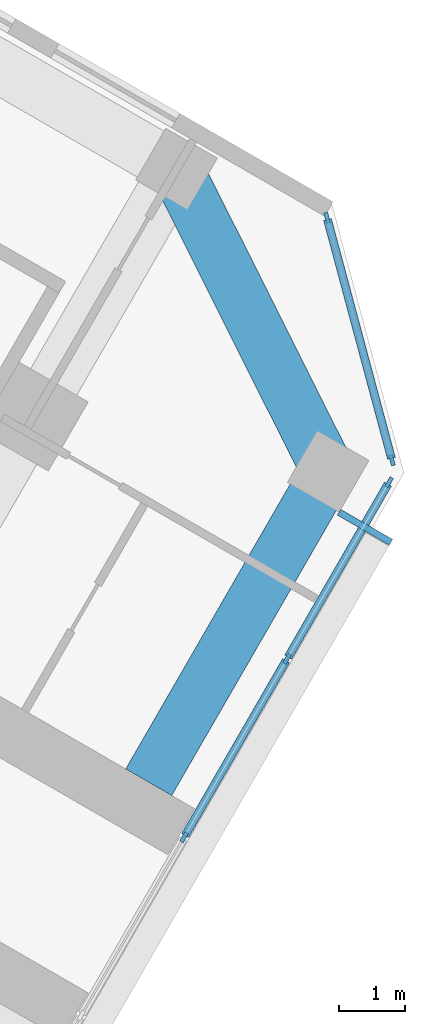
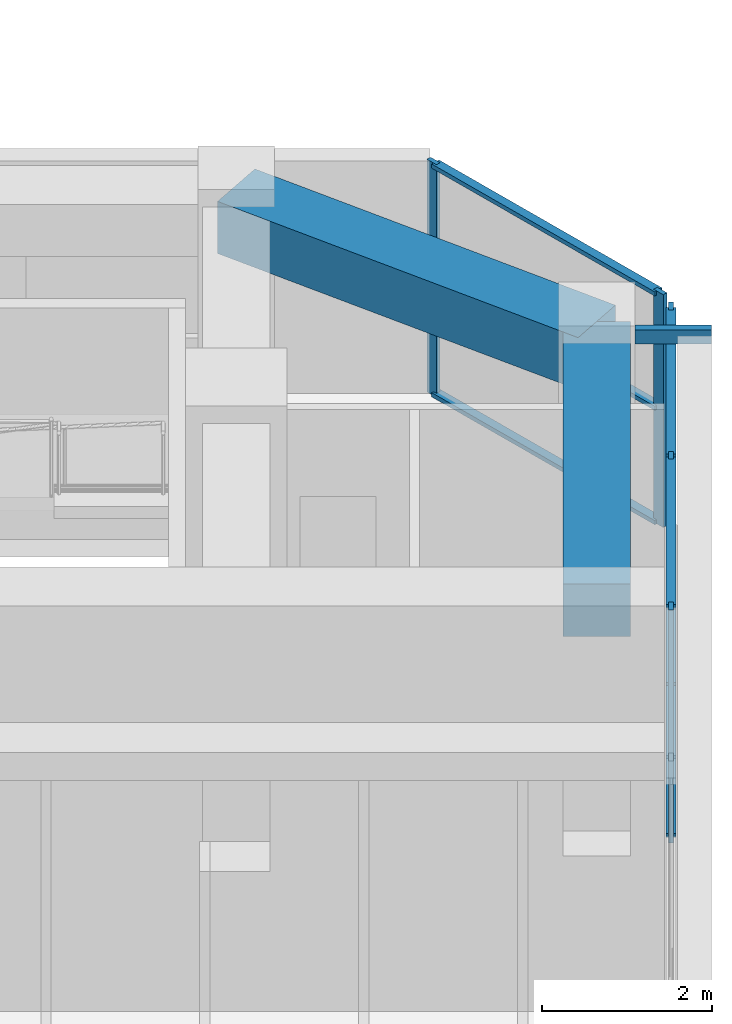
# One storey, part 8 of 19: 13 members, 2 beams, 2 elements without a shape of their own.
"""IFC4 building model written with IfcOpenShell, lengths in metres."""

import ifcopenshell
import ifcopenshell.guid

model = None  # the IFC model being written
_history = None  # IfcOwnerHistory: only IFC2X3 demands one
_inside = {}  # id of a spatial element -> (the spatial element, [elements in it])
_under = {}  # id of a project, library or spatial element -> (it, [spatial elements below it])
_declared = {}  # id of a project -> (the project, [libraries it declares])
_typed = {}  # id of a type object -> (the type object, [elements of that type])
_made_of = {}  # id of a material, layer set ... -> (it, [elements and type objects made of it])


def new_model(schema):
    """Start an empty IFC model of exactly this schema.

    Asked for "IFC4X3", IfcOpenShell would pick the latest addendum, in which some entities
    have other attributes; the version numbers below select the first issue.
    IFC2X3 requires an IfcOwnerHistory on every rooted entity: one is made here for all.
    """
    global model, _history
    if schema == "IFC4X3":
        model = ifcopenshell.file(schema_version=(4, 3, 0, 0))
    else:
        model = ifcopenshell.file(schema=schema)
    _inside.clear()
    _under.clear()
    _declared.clear()
    _typed.clear()
    _made_of.clear()
    _history = None
    if model.schema == "IFC2X3":
        org = make("IfcOrganization", Name="unknown")
        user = make(
            "IfcPersonAndOrganization",
            ThePerson=make("IfcPerson", FamilyName="unknown"),
            TheOrganization=org,
        )
        app = make(
            "IfcApplication",
            ApplicationDeveloper=org,
            Version="unknown",
            ApplicationFullName="unknown",
            ApplicationIdentifier="unknown",
        )
        _history = make(
            "IfcOwnerHistory",
            OwningUser=user,
            OwningApplication=app,
            ChangeAction="ADDED",
            CreationDate=0,
        )
    return model


def make(cls, **values):
    """One entity of the class cls with the attributes given. An attribute that is None is left unset."""
    return model.create_entity(
        cls, **{name: value for name, value in values.items() if value is not None}
    )


def rooted(cls, **values):
    """An entity with a GlobalId (a new one), such as an element, a storey or a relation."""
    return make(cls, GlobalId=ifcopenshell.guid.new(), OwnerHistory=_history, **values)


def si_unit(unit_type, name, prefix=None):
    """IfcSIUnit, for example si_unit("LENGTHUNIT", "METRE", prefix="MILLI")."""
    return make("IfcSIUnit", UnitType=unit_type, Prefix=prefix, Name=name)


def assignment(units):
    """IfcUnitAssignment: the units of a project."""
    return None if units is None else make("IfcUnitAssignment", Units=units)


def point(xyz):
    """IfcCartesianPoint."""
    return None if xyz is None else make("IfcCartesianPoint", Coordinates=xyz)


def direction(xyz):
    """IfcDirection."""
    return None if xyz is None else make("IfcDirection", DirectionRatios=xyz)


def frame(location, z_axis=None, x_axis=None):
    """IfcAxis2Placement3D, a coordinate frame: its origin and axes. An axis left out is left unset."""
    return make(
        "IfcAxis2Placement3D",
        Location=point(location),
        Axis=direction(z_axis),
        RefDirection=direction(x_axis),
    )


def frame_2d(location, x_axis=None):
    """IfcAxis2Placement2D, a coordinate frame in the plane: its origin and x axis."""
    return make(
        "IfcAxis2Placement2D", Location=point(location), RefDirection=direction(x_axis)
    )


def origin():
    """The frame at (0, 0, 0) with its axes left unset."""
    return frame((0.0, 0.0, 0.0))


def origin_2d():
    """The frame at (0, 0) in the plane with its x axis left unset."""
    return frame_2d((0.0, 0.0))


def place(relative_to, where):
    """IfcLocalPlacement: puts the frame where relative to a parent placement (None: the world)."""
    return make(
        "IfcLocalPlacement", PlacementRelTo=relative_to, RelativePlacement=where
    )


def context(
    kind, dimensions, precision=None, world=None, true_north=None, identifier=None
):
    """IfcGeometricRepresentationContext, for example the 3D "Model" context."""
    return make(
        "IfcGeometricRepresentationContext",
        ContextIdentifier=identifier,
        ContextType=kind,
        CoordinateSpaceDimension=dimensions,
        Precision=precision,
        WorldCoordinateSystem=world,
        TrueNorth=true_north,
    )


def subcontext(parent, identifier, kind, view, scale=None):
    """IfcGeometricRepresentationSubContext, for example "Body" below "Model"."""
    return make(
        "IfcGeometricRepresentationSubContext",
        ContextIdentifier=identifier,
        ContextType=kind,
        ParentContext=parent,
        TargetScale=scale,
        TargetView=view,
    )


def project(units=None, contexts=None):
    """IfcProject with its units and contexts."""
    return rooted(
        "IfcProject",
        Name="project",
        RepresentationContexts=contexts,
        UnitsInContext=assignment(units),
    )


def spatial(cls, under=None, at=None, **own):
    """A site, building, storey or space (cls), placed at a placement, below another one or the project."""
    s = rooted(cls, ObjectPlacement=at, **own)
    if under is not None:
        _under.setdefault(under.id(), (under, []))[1].append(s)
    return s


def profile(cls, at=None, kind="AREA", **sizes):
    """A parametric profile (cls). Its sizes go by their IFC names, for example OverallWidth=200.0."""
    return make(cls, ProfileType=kind, Position=at, **sizes)


def rectangle(**sizes):
    """IfcRectangleProfileDef."""
    return profile("IfcRectangleProfileDef", **sizes)


def hollow_rectangle(**sizes):
    """IfcRectangleHollowProfileDef."""
    return profile("IfcRectangleHollowProfileDef", **sizes)


def extrude(swept, where, along, depth):
    """IfcExtrudedAreaSolid: the profile swept, set in the frame where, extruded along a direction by depth."""
    return make(
        "IfcExtrudedAreaSolid",
        SweptArea=swept,
        Position=where,
        ExtrudedDirection=direction(along),
        Depth=depth,
    )


def shape(context_of_items, identifier, shape_type, items):
    """IfcShapeRepresentation: the items that make up one representation, for example the "Body"."""
    return make(
        "IfcShapeRepresentation",
        ContextOfItems=context_of_items,
        RepresentationIdentifier=identifier,
        RepresentationType=shape_type,
        Items=items,
    )


def material(Name=None, Category=None):
    """IfcMaterial."""
    return make("IfcMaterial", Name=Name, Category=Category)


def material_profile(
    of_material, cross_section, Name=None, Category=None, Priority=None
):
    """IfcMaterialProfile: a cross section and its material."""
    return make(
        "IfcMaterialProfile",
        Name=Name,
        Material=of_material,
        Profile=cross_section,
        Priority=Priority,
        Category=Category,
    )


def profile_set(profiles, Name=None, composite=None):
    """IfcMaterialProfileSet."""
    return make(
        "IfcMaterialProfileSet",
        Name=Name,
        MaterialProfiles=profiles,
        CompositeProfile=composite,
    )


def made_of(thing, what):
    """Note that an element or type object is made of a material, layer set ...; save() writes the relation."""
    if what is not None:
        _made_of.setdefault(what.id(), (what, []))[1].append(thing)
    return thing


def type_object(cls, material=None, **own):
    """A type object (cls), such as IfcWallType, which elements share."""
    return made_of(rooted(cls, **own), material)


def element(
    cls,
    number,
    at=None,
    inside=None,
    cuts=None,
    type_object=None,
    material=None,
    context=None,
    identifier="Body",
    shape_type=None,
    held_by="IfcProductDefinitionShape",
    body=None,
    shapes=None,
    **own,
):
    """One element of the class cls, such as IfcWall. Its Tag is "e" and its number.

    at: its placement. inside: the storey or other place that contains it. cuts: it is an
    opening in that element (IfcRelVoidsElement). A single representation is given by context,
    identifier, shape_type and body (its items); several are given by shapes. held_by: the class
    of the entity that holds the representations. save() writes the other relations.
    """
    e = rooted(cls, Tag="e%d" % number, ObjectPlacement=at, **own)
    if body is not None:
        shapes = [shape(context, identifier, shape_type, body)]
    if shapes is not None:
        e.Representation = make(held_by, Representations=shapes)
    if inside is not None:
        _inside.setdefault(inside.id(), (inside, []))[1].append(e)
    if cuts is not None:
        rooted(
            "IfcRelVoidsElement", RelatingBuildingElement=cuts, RelatedOpeningElement=e
        )
    if type_object is not None:
        _typed.setdefault(type_object.id(), (type_object, []))[1].append(e)
    return made_of(e, material)


def aggregate(whole, parts):
    """IfcRelAggregates: a whole, such as a stair, and the parts it consists of."""
    return rooted("IfcRelAggregates", RelatingObject=whole, RelatedObjects=parts)


def save(model, path):
    """Write the relations noted so far, then the file.

    IfcRelAggregates (storeys below a building ...), IfcRelContainedInSpatialStructure (elements
    in a storey), IfcRelDefinesByType, IfcRelAssociatesMaterial and IfcRelDeclares: one each for
    every whole, place, type object, material and project.
    """
    for whole, parts in _under.values():
        aggregate(whole, parts)
    for where, things in _inside.values():
        rooted(
            "IfcRelContainedInSpatialStructure",
            RelatedElements=things,
            RelatingStructure=where,
        )
    for kind, things in _typed.values():
        rooted("IfcRelDefinesByType", RelatedObjects=things, RelatingType=kind)
    for what, things in _made_of.values():
        rooted("IfcRelAssociatesMaterial", RelatedObjects=things, RelatingMaterial=what)
    for by, libraries in _declared.values():
        rooted("IfcRelDeclares", RelatingContext=by, RelatedDefinitions=libraries)
    model.write(path)


model = new_model("IFC4")

# Units and contexts
model_context = context("Model", 3, precision=1e-05, world=origin(), true_north=direction((0.0, 1.0)))
body_context = subcontext(model_context, "Body", "Model", "MODEL_VIEW")
ifc_project = project(units=[si_unit("LENGTHUNIT", "METRE"), si_unit("AREAUNIT", "SQUARE_METRE"), si_unit("VOLUMEUNIT", "CUBIC_METRE"), si_unit("PLANEANGLEUNIT", "RADIAN"), si_unit("MASSUNIT", "GRAM", prefix="KILO")], contexts=[model_context])

# Site, building, storey
site_placement = place(None, origin())
site = spatial("IfcSite", under=ifc_project, at=site_placement, CompositionType="ELEMENT")
building_placement = place(site_placement, origin())
building = spatial("IfcBuilding", under=site, at=building_placement, Name="Kosmar Iwan School Tower", CompositionType="ELEMENT")
storey_placement = place(building_placement, frame((0.0, 0.0, 161.60009765625)))
storey = spatial("IfcBuildingStorey", under=building, at=storey_placement, Name="L40", CompositionType="ELEMENT", Elevation=161.60009765625)

# Member
ifc_material_1 = material(Name="Steel S355", Category="steel")
ifc_material_profile_1 = material_profile(ifc_material_1, hollow_rectangle(XDim=0.10009765625, YDim=0.199951171875, WallThickness=0.008056640625, at=origin_2d()), Name="RHS 200x100x8")
ifc_profile_set_1 = profile_set([ifc_material_profile_1], Name="Steel S355")
member_type_1 = type_object("IfcMemberType", Name="Fin bracket RHS 200x100", PredefinedType="USERDEFINED", material=ifc_profile_set_1)
member_1_placement = place(storey_placement, frame((32.963134765625, -11.006103515625, 3.474853515625), z_axis=(0.866081705922, -0.499902469156, 0.0), x_axis=(0.499902469156, 0.866081705922, 0.0)))
element("IfcMember", 1, at=member_1_placement, inside=storey, type_object=member_type_1, Name="Fin bracket L41", ObjectType="FIN BRACKET", PredefinedType="USERDEFINED", context=body_context, shape_type="SweptSolid", body=[
    extrude(hollow_rectangle(XDim=0.10009765625, YDim=0.199951171875, WallThickness=0.008056640625, at=origin_2d()), origin(), (0.0, 0.0, 1.0), 0.900146484375),
])

# Curtain wall, members
ifc_material_2 = material(Name="Dark glass in black aluminium frame", Category="aluminium")
curtain_wall_type_1 = type_object("IfcCurtainWallType", Name="Tower curtain wall dark glass", PredefinedType="USERDEFINED", material=ifc_material_2)
curtain_wall_1_placement = place(storey_placement, origin())
curtain_wall_1 = element("IfcCurtainWall", 2, at=curtain_wall_1_placement, inside=storey, type_object=curtain_wall_type_1, Name="Curtain wall L40-F03", ObjectType="UNITISED CURTAIN WALL", PredefinedType="USERDEFINED")
ifc_material_3 = material(Name="Black anodised aluminium", Category="aluminium")
ifc_material_profile_2 = material_profile(ifc_material_3, rectangle(XDim=0.06005859375, YDim=0.159912109375, at=origin_2d()), Name="MULLION 60x160")
ifc_profile_set_2 = profile_set([ifc_material_profile_2], Name="Black anodised aluminium")
member_type_2 = type_object("IfcMemberType", Name="Mullion 60x160", PredefinedType="MULLION", material=ifc_profile_set_2)
member_2_placement = place(storey_placement, frame((30.631103515625, -15.8955078125, 0.0), z_axis=(0.0, 0.0, 1.0), x_axis=(-0.866025405329, 0.499999997325, 0.0)))
member_2 = element("IfcMember", 3, at=member_2_placement, type_object=member_type_2, Name="CW1 mullion 4", PredefinedType="MULLION", context=body_context, shape_type="SweptSolid", body=[
    extrude(rectangle(XDim=0.06005859375, YDim=0.159912109375, at=origin_2d()), origin(), (0.0, 0.0, 1.0), 3.349853515625),
])
member_3_placement = place(storey_placement, frame((32.1806640625, -13.21142578125, 0.0), z_axis=(0.0, 0.0, 1.0), x_axis=(-0.866025405329, 0.499999997325, 0.0)))
member_3 = element("IfcMember", 4, at=member_3_placement, type_object=member_type_2, Name="CW1 mullion 5", PredefinedType="MULLION", context=body_context, shape_type="SweptSolid", body=[
    extrude(rectangle(XDim=0.06005859375, YDim=0.159912109375, at=origin_2d()), origin(), (0.0, 0.0, 1.0), 3.349853515625),
])
member_4_placement = place(storey_placement, frame((33.71533203125, -10.55322265625, 0.0), z_axis=(0.0, 0.0, 1.0), x_axis=(-0.866025405329, 0.499999997325, 0.0)))
member_4 = element("IfcMember", 5, at=member_4_placement, type_object=member_type_2, Name="CW1 mullion 6", PredefinedType="MULLION", context=body_context, shape_type="SweptSolid", body=[
    extrude(rectangle(XDim=0.06005859375, YDim=0.159912109375, at=origin_2d()), origin(), (0.0, 0.0, 1.0), 3.349853515625),
])

ifc_material_4 = material(Name="Dark glass in black aluminium frame", Category="aluminium")
curtain_wall_type_2 = type_object("IfcCurtainWallType", Name="Chamfer curtain wall dark glass", PredefinedType="USERDEFINED", material=ifc_material_4)
curtain_wall_2_placement = place(storey_placement, origin())
curtain_wall_2 = element("IfcCurtainWall", 6, at=curtain_wall_2_placement, inside=storey, type_object=curtain_wall_type_2, Name="Curtain wall L40-F04", ObjectType="FACETED CURTAIN WALL", PredefinedType="USERDEFINED")
member_5_placement = place(storey_placement, frame((33.7587890625, -10.2236328125, 0.0), z_axis=(0.0, 0.0, 1.0), x_axis=(-0.965925875495, -0.258818861462, 0.0)))
member_5 = element("IfcMember", 7, at=member_5_placement, type_object=member_type_2, Name="CW2 mullion 1", PredefinedType="MULLION", context=body_context, shape_type="SweptSolid", body=[
    extrude(rectangle(XDim=0.06005859375, YDim=0.159912109375, at=origin_2d()), origin(), (0.0, 0.0, 1.0), 3.349853515625),
])
member_6_placement = place(storey_placement, frame((32.78076171875, -6.5732421875, 0.0), z_axis=(0.0, 0.0, 1.0), x_axis=(-0.965925875495, -0.258818861462, 0.0)))
member_6 = element("IfcMember", 8, at=member_6_placement, type_object=member_type_2, Name="CW2 mullion 2", PredefinedType="MULLION", context=body_context, shape_type="SweptSolid", body=[
    extrude(rectangle(XDim=0.06005859375, YDim=0.159912109375, at=origin_2d()), origin(), (0.0, 0.0, 1.0), 3.349853515625),
])

# Beams
ifc_material_5 = material(Name="Concrete C50/60", Category="concrete")
ifc_material_profile_3 = material_profile(ifc_material_5, rectangle(XDim=0.800048828125, YDim=0.75, at=origin_2d()), Name="RC 800x750")
ifc_profile_set_3 = profile_set([ifc_material_profile_3], Name="Concrete C50/60")
beam_type = type_object("IfcBeamType", Name="RC tip beam 800x750", PredefinedType="BEAM", material=ifc_profile_set_3)
beam_1_placement = place(storey_placement, frame((30.517822265625, -5.841552734375, 2.974853515625), z_axis=(0.44809604203, -0.893985423325, 0.0), x_axis=(0.893985423325, 0.44809604203, 0.0)))
element("IfcBeam", 9, at=beam_1_placement, inside=storey, type_object=beam_type, Name="Tip beam CL", PredefinedType="BEAM", context=body_context, shape_type="SweptSolid", body=[
    extrude(rectangle(XDim=0.800048828125, YDim=0.75, at=origin_2d()), origin(), (0.0, 0.0, 1.0), 5.08935546875),
])
beam_2_placement = place(storey_placement, frame((32.79833984375, -10.391357421875, 2.974853515625), z_axis=(-0.499995103361, -0.866028230842, 0.0), x_axis=(0.866028230842, -0.499995103361, 0.0)))
element("IfcBeam", 10, at=beam_2_placement, inside=storey, type_object=beam_type, Name="Tip beam CL to corridor wall", PredefinedType="BEAM", context=body_context, shape_type="SweptSolid", body=[
    extrude(rectangle(XDim=0.800048828125, YDim=0.75, at=origin_2d()), origin(), (0.0, 0.0, 1.0), 5.39990234375),
])

# Member
ifc_material_6 = material(Name="Black anodised aluminium", Category="aluminium")
ifc_material_profile_4 = material_profile(ifc_material_6, rectangle(XDim=0.1201171875, YDim=0.06005859375, at=origin_2d()), Name="TRANSOM 60x120")
ifc_profile_set_4 = profile_set([ifc_material_profile_4], Name="Black anodised aluminium")
member_type_3 = type_object("IfcMemberType", Name="Transom 60x120", PredefinedType="USERDEFINED", material=ifc_profile_set_4)
member_7_placement = place(storey_placement, frame((30.64599609375, -15.869384765625, 0.02978515625), z_axis=(0.500035348339, 0.866004994449, 0.0), x_axis=(-0.866004994449, 0.500035348339, 0.0)))
member_7 = element("IfcMember", 11, at=member_7_placement, type_object=member_type_3, Name="CW1 transom 4.1", ObjectType="TRANSOM", PredefinedType="USERDEFINED", context=body_context, shape_type="SweptSolid", body=[
    extrude(rectangle(XDim=0.1201171875, YDim=0.06005859375, at=origin_2d()), origin(), (0.0, 0.0, 1.0), 3.039306640625),
])

member_8_placement = place(storey_placement, frame((30.64599609375, -15.869384765625, 3.31982421875), z_axis=(0.500035348339, 0.866004994449, 0.0), x_axis=(-0.866004994449, 0.500035348339, 0.0)))
member_8 = element("IfcMember", 12, at=member_8_placement, type_object=member_type_3, Name="CW1 transom 4.2", ObjectType="TRANSOM", PredefinedType="USERDEFINED", context=body_context, shape_type="SweptSolid", body=[
    extrude(rectangle(XDim=0.1201171875, YDim=0.06005859375, at=origin_2d()), origin(), (0.0, 0.0, 1.0), 3.039306640625),
])

member_9_placement = place(storey_placement, frame((32.19580078125, -13.185302734375, 0.02978515625), z_axis=(0.500022102064, 0.866012642776, 0.0), x_axis=(-0.866012642776, 0.500022102064, 0.0)))
member_9 = element("IfcMember", 13, at=member_9_placement, type_object=member_type_3, Name="CW1 transom 5.1", ObjectType="TRANSOM", PredefinedType="USERDEFINED", context=body_context, shape_type="SweptSolid", body=[
    extrude(rectangle(XDim=0.1201171875, YDim=0.06005859375, at=origin_2d()), origin(), (0.0, 0.0, 1.0), 3.009033203125),
])

member_10_placement = place(storey_placement, frame((32.19580078125, -13.185302734375, 3.31982421875), z_axis=(0.500022102064, 0.866012642776, 0.0), x_axis=(-0.866012642776, 0.500022102064, 0.0)))
member_10 = element("IfcMember", 14, at=member_10_placement, type_object=member_type_3, Name="CW1 transom 5.2", ObjectType="TRANSOM", PredefinedType="USERDEFINED", context=body_context, shape_type="SweptSolid", body=[
    extrude(rectangle(XDim=0.1201171875, YDim=0.06005859375, at=origin_2d()), origin(), (0.0, 0.0, 1.0), 3.009033203125),
])

aggregate(curtain_wall_1, [member_2, member_3, member_4, member_7, member_8, member_9, member_10])

member_11_placement = place(storey_placement, frame((33.7509765625, -10.194580078125, 0.02978515625), z_axis=(-0.258843273983, 0.965919333854, 0.0), x_axis=(-0.965919333854, -0.258843273983, 0.0)))
member_11 = element("IfcMember", 15, at=member_11_placement, type_object=member_type_3, Name="CW2 transom 1.1", ObjectType="TRANSOM", PredefinedType="USERDEFINED", context=body_context, shape_type="SweptSolid", body=[
    extrude(rectangle(XDim=0.1201171875, YDim=0.06005859375, at=origin_2d()), origin(), (0.0, 0.0, 1.0), 3.718994140625),
])

member_12_placement = place(storey_placement, frame((33.7509765625, -10.194580078125, 1.6748046875), z_axis=(-0.258843273983, 0.965919333854, 0.0), x_axis=(-0.965919333854, -0.258843273983, 0.0)))
member_12 = element("IfcMember", 16, at=member_12_placement, type_object=member_type_3, Name="CW2 transom 1.2", ObjectType="TRANSOM", PredefinedType="USERDEFINED", context=body_context, shape_type="SweptSolid", body=[
    extrude(rectangle(XDim=0.1201171875, YDim=0.06005859375, at=origin_2d()), origin(), (0.0, 0.0, 1.0), 3.718994140625),
])

member_13_placement = place(storey_placement, frame((33.7509765625, -10.194580078125, 3.31982421875), z_axis=(-0.258843273983, 0.965919333854, 0.0), x_axis=(-0.965919333854, -0.258843273983, 0.0)))
member_13 = element("IfcMember", 17, at=member_13_placement, type_object=member_type_3, Name="CW2 transom 1.3", ObjectType="TRANSOM", PredefinedType="USERDEFINED", context=body_context, shape_type="SweptSolid", body=[
    extrude(rectangle(XDim=0.1201171875, YDim=0.06005859375, at=origin_2d()), origin(), (0.0, 0.0, 1.0), 3.718994140625),
])

aggregate(curtain_wall_2, [member_5, member_6, member_11, member_12, member_13])

save(model, "model.ifc")
